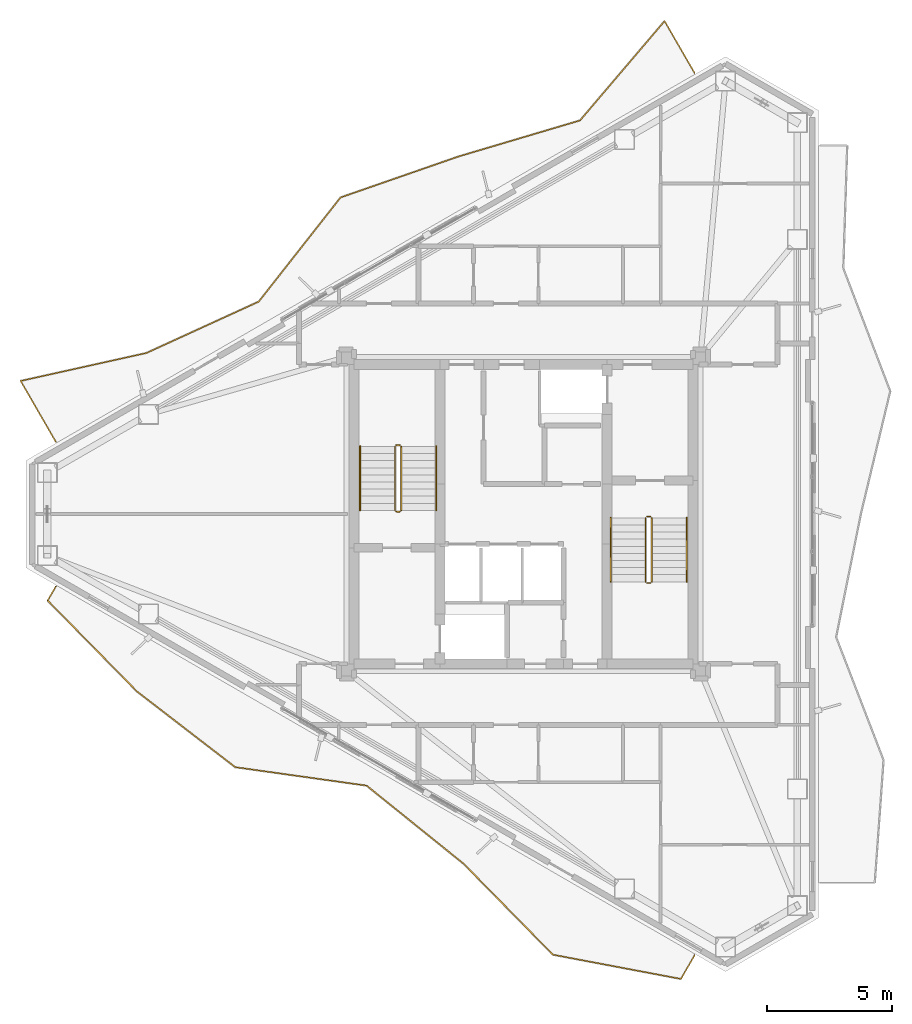
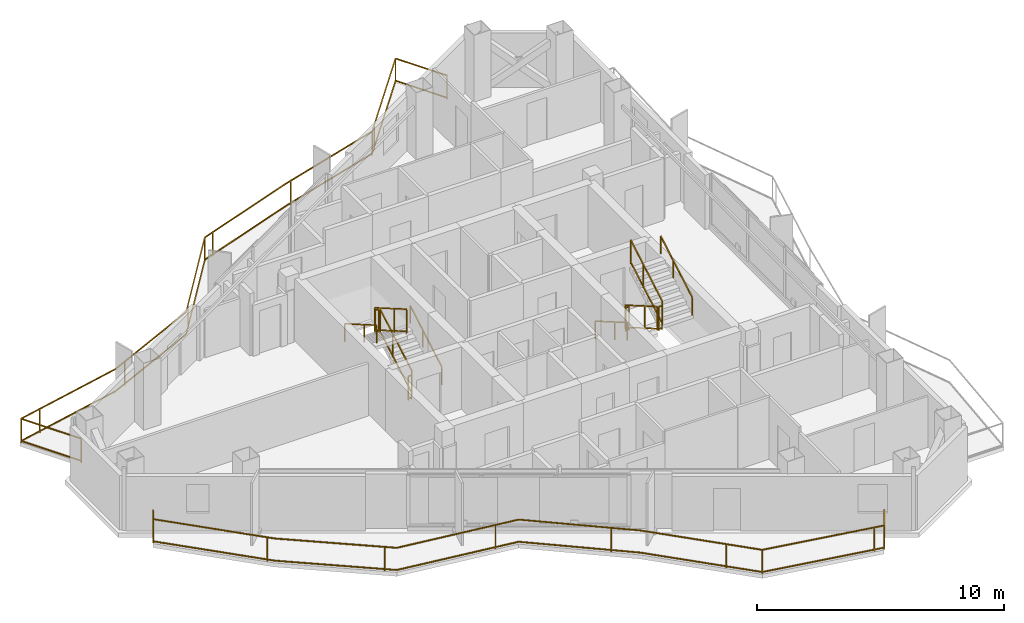
# One storey, part 21 of 22: 14 railings.
"""IFC4 building model written with IfcOpenShell, lengths in metres."""

from ifc_helpers import new_model, si_unit, direction, frame, origin, origin_2d, place, context, subcontext, project, spatial, rectangle, extrude, material, type_object, element, save


model = new_model("IFC4")

# Units and contexts
model_context = context("Model", 3, precision=1e-05, world=origin(), true_north=direction((0.0, 1.0)))
body_context = subcontext(model_context, "Body", "Model", "MODEL_VIEW")
ifc_project = project(units=[si_unit("LENGTHUNIT", "METRE"), si_unit("AREAUNIT", "SQUARE_METRE"), si_unit("VOLUMEUNIT", "CUBIC_METRE"), si_unit("PLANEANGLEUNIT", "RADIAN"), si_unit("MASSUNIT", "GRAM", prefix="KILO")], contexts=[model_context])

# Site, building, storey
site_placement = place(None, origin())
site = spatial("IfcSite", under=ifc_project, at=site_placement, CompositionType="ELEMENT")
building_placement = place(site_placement, origin())
building = spatial("IfcBuilding", under=site, at=building_placement, Name="Mersakhor Tower and Convention Hall", CompositionType="ELEMENT")
storey_placement = place(building_placement, frame((0.0, 0.0, 208.5)))
storey = spatial("IfcBuildingStorey", under=building, at=storey_placement, Name="L58", CompositionType="ELEMENT", Elevation=208.5)

# Railings
ifc_material_1 = material(Name="Powder-coated galvanised steel and laminated glass balustrade", Category="steel")
railing_type_1 = type_object("IfcRailingType", Name="RL-BAL-1200", PredefinedType="BALUSTRADE", material=ifc_material_1)
railing_1_placement = place(storey_placement, frame((35.86669921875, 44.44189453125, 0.0)))
element("IfcRailing", 1, at=railing_1_placement, inside=storey, type_object=railing_type_1, Name="L58 Sinusoidal Balcony Balustrade F1", PredefinedType="BALUSTRADE", context=body_context, shape_type="SweptSolid", body=[
    extrude(rectangle(XDim=0.048095703125, YDim=0.048095703125, at=origin_2d()), frame((0.0, 0.0, 1.17578125), z_axis=(-0.499991841196, 0.866030114221, 0.0), x_axis=(-0.866030114221, -0.499991841196, 0.0)), (0.0, 0.0, 1.0), 2.40576171875),
    extrude(rectangle(XDim=0.048095703125, YDim=0.048095703125, at=origin_2d()), frame((0.0, 0.0, 0.080078125), z_axis=(-0.499991841196, 0.866030114221, 0.0), x_axis=(-0.866030114221, -0.499991841196, 0.0)), (0.0, 0.0, 1.0), 2.40576171875),
    extrude(rectangle(XDim=0.048095703125, YDim=0.048095703125, at=origin_2d()), frame((-1.202880859375, 2.08349609375, 1.17578125), z_axis=(-0.648133018475, -0.76152714355, 0.0), x_axis=(0.76152714355, -0.648133018475, 0.0)), (0.0, 0.0, 1.0), 5.234130859375),
    extrude(rectangle(XDim=0.048095703125, YDim=0.048095703125, at=origin_2d()), frame((-1.202880859375, 2.08349609375, 0.080078125), z_axis=(-0.648133018475, -0.76152714355, 0.0), x_axis=(0.76152714355, -0.648133018475, 0.0)), (0.0, 0.0, 1.0), 5.234130859375),
    extrude(rectangle(XDim=0.048095703125, YDim=0.048095703125, at=origin_2d()), frame((-4.59521484375, -1.90234375, 1.17578125), z_axis=(-0.958674160479, -0.2845063339, 0.0), x_axis=(0.2845063339, -0.958674160479, 0.0)), (0.0, 0.0, 1.0), 5.070556640625),
    extrude(rectangle(XDim=0.048095703125, YDim=0.048095703125, at=origin_2d()), frame((-4.59521484375, -1.90234375, 0.080078125), z_axis=(-0.958674160479, -0.2845063339, 0.0), x_axis=(0.2845063339, -0.958674160479, 0.0)), (0.0, 0.0, 1.0), 5.070556640625),
    extrude(rectangle(XDim=0.048095703125, YDim=0.048095703125, at=origin_2d()), frame((-9.456298828125, -3.344970703125, 1.17578125), z_axis=(-0.944680988636, -0.327990593934, 0.0), x_axis=(0.327990593934, -0.944680988636, 0.0)), (0.0, 0.0, 1.0), 5.020751953125),
    extrude(rectangle(XDim=0.048095703125, YDim=0.048095703125, at=origin_2d()), frame((-9.456298828125, -3.344970703125, 0.080078125), z_axis=(-0.944680988636, -0.327990593934, 0.0), x_axis=(0.327990593934, -0.944680988636, 0.0)), (0.0, 0.0, 1.0), 5.020751953125),
    extrude(rectangle(XDim=0.048095703125, YDim=0.048095703125, at=origin_2d()), frame((-14.19921875, -4.99169921875, 1.17578125), z_axis=(-0.617703826303, -0.786410823279, 0.0), x_axis=(0.786410823279, -0.617703826303, 0.0)), (0.0, 0.0, 1.0), 5.3125),
    extrude(rectangle(XDim=0.048095703125, YDim=0.048095703125, at=origin_2d()), frame((-14.19921875, -4.99169921875, 0.080078125), z_axis=(-0.617703826303, -0.786410823279, 0.0), x_axis=(0.786410823279, -0.617703826303, 0.0)), (0.0, 0.0, 1.0), 5.3125),
    extrude(rectangle(XDim=0.048095703125, YDim=0.048095703125, at=origin_2d()), frame((-17.480712890625, -9.16943359375, 1.17578125), z_axis=(-0.90940523696, -0.415911186421, 0.0), x_axis=(0.415911186421, -0.90940523696, 0.0)), (0.0, 0.0, 1.0), 4.953125),
    extrude(rectangle(XDim=0.048095703125, YDim=0.048095703125, at=origin_2d()), frame((-17.480712890625, -9.16943359375, 0.080078125), z_axis=(-0.90940523696, -0.415911186421, 0.0), x_axis=(0.415911186421, -0.90940523696, 0.0)), (0.0, 0.0, 1.0), 4.953125),
    extrude(rectangle(XDim=0.048095703125, YDim=0.048095703125, at=origin_2d()), frame((-21.985107421875, -11.2294921875, 1.17578125), z_axis=(-0.976212611113, -0.216815446646, 0.0), x_axis=(0.216815446646, -0.976212611113, 0.0)), (0.0, 0.0, 1.0), 5.169677734375),
    extrude(rectangle(XDim=0.048095703125, YDim=0.048095703125, at=origin_2d()), frame((-21.985107421875, -11.2294921875, 0.080078125), z_axis=(-0.976212611113, -0.216815446646, 0.0), x_axis=(0.216815446646, -0.976212611113, 0.0)), (0.0, 0.0, 1.0), 5.169677734375),
    extrude(rectangle(XDim=0.048095703125, YDim=0.048095703125, at=origin_2d()), frame((-27.03173828125, -12.350341796875, 1.17578125), z_axis=(0.499984757355, -0.866034203951, 0.0), x_axis=(0.866034203951, 0.499984757355, 0.0)), (0.0, 0.0, 1.0), 2.81982421875),
    extrude(rectangle(XDim=0.048095703125, YDim=0.048095703125, at=origin_2d()), frame((-27.03173828125, -12.350341796875, 0.080078125), z_axis=(0.499984757355, -0.866034203951, 0.0), x_axis=(0.866034203951, 0.499984757355, 0.0)), (0.0, 0.0, 1.0), 2.81982421875),
    extrude(rectangle(XDim=0.0419921875, YDim=0.0419921875, at=origin_2d()), origin(), (0.0, 0.0, 1.0), 1.15185546875),
    extrude(rectangle(XDim=0.0419921875, YDim=0.0419921875, at=origin_2d()), frame((-1.202880859375, 2.08349609375, 0.0)), (0.0, 0.0, 1.0), 1.15185546875),
    extrude(rectangle(XDim=0.0419921875, YDim=0.0419921875, at=origin_2d()), frame((-4.31396484375, -1.57177734375, 0.0)), (0.0, 0.0, 1.0), 1.15185546875),
    extrude(rectangle(XDim=0.0419921875, YDim=0.0419921875, at=origin_2d()), frame((-4.59521484375, -1.90234375, 0.0)), (0.0, 0.0, 1.0), 1.15185546875),
    extrude(rectangle(XDim=0.0419921875, YDim=0.0419921875, at=origin_2d()), frame((-9.19677734375, -3.26806640625, 0.0)), (0.0, 0.0, 1.0), 1.15185546875),
    extrude(rectangle(XDim=0.0419921875, YDim=0.0419921875, at=origin_2d()), frame((-13.735107421875, -4.83056640625, 0.0)), (0.0, 0.0, 1.0), 1.15185546875),
    extrude(rectangle(XDim=0.0419921875, YDim=0.0419921875, at=origin_2d()), frame((-14.19921875, -4.99169921875, 0.0)), (0.0, 0.0, 1.0), 1.15185546875),
    extrude(rectangle(XDim=0.0419921875, YDim=0.0419921875, at=origin_2d()), frame((-17.164306640625, -8.766357421875, 0.0)), (0.0, 0.0, 1.0), 1.15185546875),
    extrude(rectangle(XDim=0.0419921875, YDim=0.0419921875, at=origin_2d()), frame((-21.3798828125, -10.95263671875, 0.0)), (0.0, 0.0, 1.0), 1.15185546875),
    extrude(rectangle(XDim=0.0419921875, YDim=0.0419921875, at=origin_2d()), frame((-26.021240234375, -12.1259765625, 0.0)), (0.0, 0.0, 1.0), 1.15185546875),
    extrude(rectangle(XDim=0.0419921875, YDim=0.0419921875, at=origin_2d()), frame((-27.03173828125, -12.350341796875, 0.0)), (0.0, 0.0, 1.0), 1.15185546875),
    extrude(rectangle(XDim=0.0419921875, YDim=0.0419921875, at=origin_2d()), frame((-25.621826171875, -14.79248046875, 0.0)), (0.0, 0.0, 1.0), 1.15185546875),
])
railing_2_placement = place(storey_placement, frame((10.244873046875, 23.8505859375, 0.0)))
element("IfcRailing", 2, at=railing_2_placement, inside=storey, type_object=railing_type_1, Name="L58 Sinusoidal Balcony Balustrade F3", PredefinedType="BALUSTRADE", context=body_context, shape_type="SweptSolid", body=[
    extrude(rectangle(XDim=0.048095703125, YDim=0.048095703125, at=origin_2d()), frame((0.0, 0.0, 1.17578125), z_axis=(-0.500058503878, -0.86599162392, 0.0), x_axis=(0.86599162392, -0.500058503878, 0.0)), (0.0, 0.0, 1.0), 0.64990234375),
    extrude(rectangle(XDim=0.048095703125, YDim=0.048095703125, at=origin_2d()), frame((0.0, 0.0, 0.080078125), z_axis=(-0.500058503878, -0.86599162392, 0.0), x_axis=(0.86599162392, -0.500058503878, 0.0)), (0.0, 0.0, 1.0), 0.64990234375),
    extrude(rectangle(XDim=0.048095703125, YDim=0.048095703125, at=origin_2d()), frame((-0.324951171875, -0.562744140625, 1.17578125), z_axis=(0.700733165424, -0.713423458316, 0.0), x_axis=(0.713423458316, 0.700733165424, 0.0)), (0.0, 0.0, 1.0), 5.117431640625),
    extrude(rectangle(XDim=0.048095703125, YDim=0.048095703125, at=origin_2d()), frame((-0.324951171875, -0.562744140625, 0.080078125), z_axis=(0.700733165424, -0.713423458316, 0.0), x_axis=(0.713423458316, 0.700733165424, 0.0)), (0.0, 0.0, 1.0), 5.117431640625),
    extrude(rectangle(XDim=0.048095703125, YDim=0.048095703125, at=origin_2d()), frame((3.260986328125, -4.213623046875, 1.17578125), z_axis=(0.792344770395, -0.610073573291, 0.0), x_axis=(0.610073573291, 0.792344770395, 0.0)), (0.0, 0.0, 1.0), 4.974609375),
    extrude(rectangle(XDim=0.048095703125, YDim=0.048095703125, at=origin_2d()), frame((3.260986328125, -4.213623046875, 0.080078125), z_axis=(0.792344770395, -0.610073573291, 0.0), x_axis=(0.610073573291, 0.792344770395, 0.0)), (0.0, 0.0, 1.0), 4.974609375),
    extrude(rectangle(XDim=0.048095703125, YDim=0.048095703125, at=origin_2d()), frame((7.20263671875, -7.24853515625, 1.17578125), z_axis=(0.990285439779, -0.139049443588, 0.0), x_axis=(0.139049443588, 0.990285439779, 0.0)), (0.0, 0.0, 1.0), 5.318359375),
    extrude(rectangle(XDim=0.048095703125, YDim=0.048095703125, at=origin_2d()), frame((7.20263671875, -7.24853515625, 0.080078125), z_axis=(0.990285439779, -0.139049443588, 0.0), x_axis=(0.139049443588, 0.990285439779, 0.0)), (0.0, 0.0, 1.0), 5.318359375),
    extrude(rectangle(XDim=0.048095703125, YDim=0.048095703125, at=origin_2d()), frame((12.46923828125, -7.988037109375, 1.17578125), z_axis=(0.778840877257, -0.62722156206, 0.0), x_axis=(0.62722156206, 0.778840877257, 0.0)), (0.0, 0.0, 1.0), 4.989990234375),
    extrude(rectangle(XDim=0.048095703125, YDim=0.048095703125, at=origin_2d()), frame((12.46923828125, -7.988037109375, 0.080078125), z_axis=(0.778840877257, -0.62722156206, 0.0), x_axis=(0.62722156206, 0.778840877257, 0.0)), (0.0, 0.0, 1.0), 4.989990234375),
    extrude(rectangle(XDim=0.048095703125, YDim=0.048095703125, at=origin_2d()), frame((16.355712890625, -11.117919921875, 1.17578125), z_axis=(0.700661182148, -0.713494154027, 0.0), x_axis=(0.713494154027, 0.700661182148, 0.0)), (0.0, 0.0, 1.0), 5.11767578125),
    extrude(rectangle(XDim=0.048095703125, YDim=0.048095703125, at=origin_2d()), frame((16.355712890625, -11.117919921875, 0.080078125), z_axis=(0.700661182148, -0.713494154027, 0.0), x_axis=(0.713494154027, 0.700661182148, 0.0)), (0.0, 0.0, 1.0), 5.11767578125),
    extrude(rectangle(XDim=0.048095703125, YDim=0.048095703125, at=origin_2d()), frame((19.94140625, -14.769287109375, 1.17578125), z_axis=(0.982549014252, -0.186003856389, 0.0), x_axis=(0.186003856389, 0.982549014252, 0.0)), (0.0, 0.0, 1.0), 5.223876953125),
    extrude(rectangle(XDim=0.048095703125, YDim=0.048095703125, at=origin_2d()), frame((19.94140625, -14.769287109375, 0.080078125), z_axis=(0.982549014252, -0.186003856389, 0.0), x_axis=(0.186003856389, 0.982549014252, 0.0)), (0.0, 0.0, 1.0), 5.223876953125),
    extrude(rectangle(XDim=0.048095703125, YDim=0.048095703125, at=origin_2d()), frame((25.07421875, -15.740966796875, 1.17578125), z_axis=(0.49999903102, 0.866025963225, 0.0), x_axis=(-0.866025963225, 0.49999903102, 0.0)), (0.0, 0.0, 1.0), 1.09521484375),
    extrude(rectangle(XDim=0.048095703125, YDim=0.048095703125, at=origin_2d()), frame((25.07421875, -15.740966796875, 0.080078125), z_axis=(0.49999903102, 0.866025963225, 0.0), x_axis=(-0.866025963225, 0.49999903102, 0.0)), (0.0, 0.0, 1.0), 1.09521484375),
    extrude(rectangle(XDim=0.0419921875, YDim=0.0419921875, at=origin_2d()), origin(), (0.0, 0.0, 1.0), 1.15185546875),
    extrude(rectangle(XDim=0.0419921875, YDim=0.0419921875, at=origin_2d()), frame((-0.324951171875, -0.562744140625, 0.0)), (0.0, 0.0, 1.0), 1.15185546875),
    extrude(rectangle(XDim=0.0419921875, YDim=0.0419921875, at=origin_2d()), frame((3.03857421875, -3.987060546875, 0.0)), (0.0, 0.0, 1.0), 1.15185546875),
    extrude(rectangle(XDim=0.0419921875, YDim=0.0419921875, at=origin_2d()), frame((6.812744140625, -6.9482421875, 0.0)), (0.0, 0.0, 1.0), 1.15185546875),
    extrude(rectangle(XDim=0.0419921875, YDim=0.0419921875, at=origin_2d()), frame((11.46875, -7.84765625, 0.0)), (0.0, 0.0, 1.0), 1.15185546875),
    extrude(rectangle(XDim=0.0419921875, YDim=0.0419921875, at=origin_2d()), frame((15.4208984375, -10.364990234375, 0.0)), (0.0, 0.0, 1.0), 1.15185546875),
    extrude(rectangle(XDim=0.0419921875, YDim=0.0419921875, at=origin_2d()), frame((18.877685546875, -13.686279296875, 0.0)), (0.0, 0.0, 1.0), 1.15185546875),
    extrude(rectangle(XDim=0.0419921875, YDim=0.0419921875, at=origin_2d()), frame((19.94140625, -14.769287109375, 0.0)), (0.0, 0.0, 1.0), 1.15185546875),
    extrude(rectangle(XDim=0.0419921875, YDim=0.0419921875, at=origin_2d()), frame((24.65771484375, -15.662109375, 0.0)), (0.0, 0.0, 1.0), 1.15185546875),
    extrude(rectangle(XDim=0.0419921875, YDim=0.0419921875, at=origin_2d()), frame((25.07421875, -15.740966796875, 0.0)), (0.0, 0.0, 1.0), 1.15185546875),
    extrude(rectangle(XDim=0.0419921875, YDim=0.0419921875, at=origin_2d()), frame((25.621826171875, -14.79248046875, 0.0)), (0.0, 0.0, 1.0), 1.15185546875),
])
ifc_material_2 = material(Name="Brushed stainless steel handrail", Category="steel")
railing_type_2 = type_object("IfcRailingType", Name="RL-HR-900", PredefinedType="HANDRAIL", material=ifc_material_2)
railing_3_placement = place(storey_placement, frame((25.5, 26.89990234375, 0.1650390625)))
element("IfcRailing", 3, at=railing_3_placement, inside=storey, type_object=railing_type_2, Name="L58 ST-1 stair handrail 1", PredefinedType="HANDRAIL", context=body_context, shape_type="SweptSolid", body=[
    extrude(rectangle(XDim=0.048095703125, YDim=0.048095703125, at=origin_2d()), frame((0.0, 0.0, 0.8759765625), z_axis=(0.0, 0.865461999751, 0.500974577186), x_axis=(-1.0, 0.0, 0.0)), (0.0, 0.0, 1.0), 2.9638671875),
    extrude(rectangle(XDim=0.0419921875, YDim=0.0419921875, at=origin_2d()), origin(), (0.0, 0.0, 1.0), 0.851806640625),
    extrude(rectangle(XDim=0.0419921875, YDim=0.0419921875, at=origin_2d()), frame((0.0, 1.557861328125, 0.90185546875)), (0.0, 0.0, 1.0), 0.851806640625),
    extrude(rectangle(XDim=0.0419921875, YDim=0.0419921875, at=origin_2d()), frame((0.0, 2.565185546875, 1.48486328125)), (0.0, 0.0, 1.0), 0.851806640625),
])
railing_4_placement = place(storey_placement, frame((22.449951171875, 29.465087890625, 1.81494140625)))
element("IfcRailing", 4, at=railing_4_placement, inside=storey, type_object=railing_type_2, Name="L58 ST-1 stair handrail 2", PredefinedType="HANDRAIL", context=body_context, shape_type="SweptSolid", body=[
    extrude(rectangle(XDim=0.048095703125, YDim=0.048095703125, at=origin_2d()), frame((0.0, 0.0, 0.8759765625), z_axis=(0.0, -0.865426285481, 0.501036270542), x_axis=(1.0, 0.0, 0.0)), (0.0, 0.0, 1.0), 2.964111328125),
    extrude(rectangle(XDim=0.0419921875, YDim=0.0419921875, at=origin_2d()), origin(), (0.0, 0.0, 1.0), 0.851806640625),
    extrude(rectangle(XDim=0.0419921875, YDim=0.0419921875, at=origin_2d()), frame((0.0, -1.557861328125, 0.90185546875)), (0.0, 0.0, 1.0), 0.851806640625),
    extrude(rectangle(XDim=0.0419921875, YDim=0.0419921875, at=origin_2d()), frame((0.0, -2.565185546875, 1.485107421875)), (0.0, 0.0, 1.0), 0.851806640625),
])
railing_5_placement = place(storey_placement, frame((32.5, 26.60009765625, 0.1650390625)))
element("IfcRailing", 5, at=railing_5_placement, inside=storey, type_object=railing_type_2, Name="L58 ST-2 stair handrail 1", PredefinedType="HANDRAIL", context=body_context, shape_type="SweptSolid", body=[
    extrude(rectangle(XDim=0.048095703125, YDim=0.048095703125, at=origin_2d()), frame((0.0, 0.0, 0.8759765625), z_axis=(0.0, -0.865461999751, 0.500974577186), x_axis=(1.0, 0.0, 0.0)), (0.0, 0.0, 1.0), 2.9638671875),
    extrude(rectangle(XDim=0.0419921875, YDim=0.0419921875, at=origin_2d()), origin(), (0.0, 0.0, 1.0), 0.851806640625),
    extrude(rectangle(XDim=0.0419921875, YDim=0.0419921875, at=origin_2d()), frame((0.0, -1.557861328125, 0.90185546875)), (0.0, 0.0, 1.0), 0.851806640625),
    extrude(rectangle(XDim=0.0419921875, YDim=0.0419921875, at=origin_2d()), frame((0.0, -2.565185546875, 1.48486328125)), (0.0, 0.0, 1.0), 0.851806640625),
])
railing_6_placement = place(storey_placement, frame((35.550048828125, 24.034912109375, 1.81494140625)))
element("IfcRailing", 6, at=railing_6_placement, inside=storey, type_object=railing_type_2, Name="L58 ST-2 stair handrail 2", PredefinedType="HANDRAIL", context=body_context, shape_type="SweptSolid", body=[
    extrude(rectangle(XDim=0.048095703125, YDim=0.048095703125, at=origin_2d()), frame((0.0, 0.0, 0.8759765625), z_axis=(0.0, 0.865426285481, 0.501036270542), x_axis=(-1.0, 0.0, 0.0)), (0.0, 0.0, 1.0), 2.964111328125),
    extrude(rectangle(XDim=0.0419921875, YDim=0.0419921875, at=origin_2d()), origin(), (0.0, 0.0, 1.0), 0.851806640625),
    extrude(rectangle(XDim=0.0419921875, YDim=0.0419921875, at=origin_2d()), frame((0.0, 1.557861328125, 0.90185546875)), (0.0, 0.0, 1.0), 0.851806640625),
    extrude(rectangle(XDim=0.0419921875, YDim=0.0419921875, at=origin_2d()), frame((0.0, 2.565185546875, 1.485107421875)), (0.0, 0.0, 1.0), 0.851806640625),
])
ifc_material_3 = material(Name="Painted steel stair balustrade S355", Category="steel")
railing_type_3 = type_object("IfcRailingType", Name="RL-STG-1200", PredefinedType="BALUSTRADE", material=ifc_material_3)
railing_7_placement = place(storey_placement, frame((24.10009765625, 26.89990234375, 0.1650390625)))
element("IfcRailing", 7, at=railing_7_placement, inside=storey, type_object=railing_type_3, Name="L58 ST-1 stair guard 1", PredefinedType="BALUSTRADE", context=body_context, shape_type="SweptSolid", body=[
    extrude(rectangle(XDim=0.048095703125, YDim=0.048095703125, at=origin_2d()), frame((0.0, 0.0, 1.17578125), z_axis=(0.0, 0.865461999751, 0.500974577186), x_axis=(-1.0, 0.0, 0.0)), (0.0, 0.0, 1.0), 2.9638671875),
    extrude(rectangle(XDim=0.048095703125, YDim=0.048095703125, at=origin_2d()), frame((0.0, 0.0, 0.080078125), z_axis=(0.0, 0.865461999751, 0.500974577186), x_axis=(-1.0, 0.0, 0.0)), (0.0, 0.0, 1.0), 2.9638671875),
    extrude(rectangle(XDim=0.0419921875, YDim=0.0419921875, at=origin_2d()), origin(), (0.0, 0.0, 1.0), 1.15185546875),
    extrude(rectangle(XDim=0.0419921875, YDim=0.0419921875, at=origin_2d()), frame((0.0, 1.557861328125, 0.90185546875)), (0.0, 0.0, 1.0), 1.15185546875),
    extrude(rectangle(XDim=0.0419921875, YDim=0.0419921875, at=origin_2d()), frame((0.0, 2.565185546875, 1.48486328125)), (0.0, 0.0, 1.0), 1.15185546875),
])
railing_8_placement = place(storey_placement, frame((24.050048828125, 29.514892578125, 1.64990234375)))
element("IfcRailing", 8, at=railing_8_placement, inside=storey, type_object=railing_type_3, Name="L58 ST-1 stair guard 2", PredefinedType="BALUSTRADE", context=body_context, shape_type="SweptSolid", body=[
    extrude(rectangle(XDim=0.048095703125, YDim=0.048095703125, at=origin_2d()), frame((0.0, 0.0, 1.17578125), z_axis=(-1.0, 0.0, 0.0), x_axis=(0.0, -1.0, 0.0)), (0.0, 0.0, 1.0), 0.150146484375),
    extrude(rectangle(XDim=0.048095703125, YDim=0.048095703125, at=origin_2d()), frame((0.0, 0.0, 0.080078125), z_axis=(-1.0, 0.0, 0.0), x_axis=(0.0, -1.0, 0.0)), (0.0, 0.0, 1.0), 0.150146484375),
    extrude(rectangle(XDim=0.0419921875, YDim=0.0419921875, at=origin_2d()), origin(), (0.0, 0.0, 1.0), 1.15185546875),
    extrude(rectangle(XDim=0.0419921875, YDim=0.0419921875, at=origin_2d()), frame((-0.150146484375, 0.0, 0.0)), (0.0, 0.0, 1.0), 1.15185546875),
])
railing_9_placement = place(storey_placement, frame((23.85009765625, 29.465087890625, 1.81494140625)))
element("IfcRailing", 9, at=railing_9_placement, inside=storey, type_object=railing_type_3, Name="L58 ST-1 stair guard 3", PredefinedType="BALUSTRADE", context=body_context, shape_type="SweptSolid", body=[
    extrude(rectangle(XDim=0.048095703125, YDim=0.048095703125, at=origin_2d()), frame((0.0, 0.0, 1.17578125), z_axis=(0.0, -0.865426285481, 0.501036270542), x_axis=(1.0, 0.0, 0.0)), (0.0, 0.0, 1.0), 2.964111328125),
    extrude(rectangle(XDim=0.048095703125, YDim=0.048095703125, at=origin_2d()), frame((0.0, 0.0, 0.080078125), z_axis=(0.0, -0.865426285481, 0.501036270542), x_axis=(1.0, 0.0, 0.0)), (0.0, 0.0, 1.0), 2.964111328125),
    extrude(rectangle(XDim=0.0419921875, YDim=0.0419921875, at=origin_2d()), origin(), (0.0, 0.0, 1.0), 1.15185546875),
    extrude(rectangle(XDim=0.0419921875, YDim=0.0419921875, at=origin_2d()), frame((0.0, -1.557861328125, 0.90185546875)), (0.0, 0.0, 1.0), 1.15185546875),
    extrude(rectangle(XDim=0.0419921875, YDim=0.0419921875, at=origin_2d()), frame((0.0, -2.565185546875, 1.485107421875)), (0.0, 0.0, 1.0), 1.15185546875),
])
railing_10_placement = place(storey_placement, frame((24.050048828125, 26.85009765625, 0.0)))
element("IfcRailing", 10, at=railing_10_placement, inside=storey, type_object=railing_type_3, Name="L58 ST-1 stair guard 4", PredefinedType="BALUSTRADE", context=body_context, shape_type="SweptSolid", body=[
    extrude(rectangle(XDim=0.048095703125, YDim=0.048095703125, at=origin_2d()), frame((0.0, 0.0, 1.17578125), z_axis=(-1.0, 0.0, 0.0), x_axis=(0.0, -1.0, 0.0)), (0.0, 0.0, 1.0), 0.150146484375),
    extrude(rectangle(XDim=0.048095703125, YDim=0.048095703125, at=origin_2d()), frame((0.0, 0.0, 0.080078125), z_axis=(-1.0, 0.0, 0.0), x_axis=(0.0, -1.0, 0.0)), (0.0, 0.0, 1.0), 0.150146484375),
    extrude(rectangle(XDim=0.0419921875, YDim=0.0419921875, at=origin_2d()), origin(), (0.0, 0.0, 1.0), 1.15185546875),
    extrude(rectangle(XDim=0.0419921875, YDim=0.0419921875, at=origin_2d()), frame((-0.150146484375, 0.0, 0.0)), (0.0, 0.0, 1.0), 1.15185546875),
])
railing_11_placement = place(storey_placement, frame((33.89990234375, 26.60009765625, 0.1650390625)))
element("IfcRailing", 11, at=railing_11_placement, inside=storey, type_object=railing_type_3, Name="L58 ST-2 stair guard 1", PredefinedType="BALUSTRADE", context=body_context, shape_type="SweptSolid", body=[
    extrude(rectangle(XDim=0.048095703125, YDim=0.048095703125, at=origin_2d()), frame((0.0, 0.0, 1.17578125), z_axis=(0.0, -0.865461999751, 0.500974577186), x_axis=(1.0, 0.0, 0.0)), (0.0, 0.0, 1.0), 2.9638671875),
    extrude(rectangle(XDim=0.048095703125, YDim=0.048095703125, at=origin_2d()), frame((0.0, 0.0, 0.080078125), z_axis=(0.0, -0.865461999751, 0.500974577186), x_axis=(1.0, 0.0, 0.0)), (0.0, 0.0, 1.0), 2.9638671875),
    extrude(rectangle(XDim=0.0419921875, YDim=0.0419921875, at=origin_2d()), origin(), (0.0, 0.0, 1.0), 1.15185546875),
    extrude(rectangle(XDim=0.0419921875, YDim=0.0419921875, at=origin_2d()), frame((0.0, -1.557861328125, 0.90185546875)), (0.0, 0.0, 1.0), 1.15185546875),
    extrude(rectangle(XDim=0.0419921875, YDim=0.0419921875, at=origin_2d()), frame((0.0, -2.565185546875, 1.48486328125)), (0.0, 0.0, 1.0), 1.15185546875),
])
railing_12_placement = place(storey_placement, frame((33.949951171875, 23.985107421875, 1.64990234375)))
element("IfcRailing", 12, at=railing_12_placement, inside=storey, type_object=railing_type_3, Name="L58 ST-2 stair guard 2", PredefinedType="BALUSTRADE", context=body_context, shape_type="SweptSolid", body=[
    extrude(rectangle(XDim=0.048095703125, YDim=0.048095703125, at=origin_2d()), frame((0.0, 0.0, 1.17578125), z_axis=(1.0, 0.0, 0.0), x_axis=(0.0, 1.0, 0.0)), (0.0, 0.0, 1.0), 0.150146484375),
    extrude(rectangle(XDim=0.048095703125, YDim=0.048095703125, at=origin_2d()), frame((0.0, 0.0, 0.080078125), z_axis=(1.0, 0.0, 0.0), x_axis=(0.0, 1.0, 0.0)), (0.0, 0.0, 1.0), 0.150146484375),
    extrude(rectangle(XDim=0.0419921875, YDim=0.0419921875, at=origin_2d()), origin(), (0.0, 0.0, 1.0), 1.15185546875),
    extrude(rectangle(XDim=0.0419921875, YDim=0.0419921875, at=origin_2d()), frame((0.150146484375, 0.0, 0.0)), (0.0, 0.0, 1.0), 1.15185546875),
])
railing_13_placement = place(storey_placement, frame((34.14990234375, 24.034912109375, 1.81494140625)))
element("IfcRailing", 13, at=railing_13_placement, inside=storey, type_object=railing_type_3, Name="L58 ST-2 stair guard 3", PredefinedType="BALUSTRADE", context=body_context, shape_type="SweptSolid", body=[
    extrude(rectangle(XDim=0.048095703125, YDim=0.048095703125, at=origin_2d()), frame((0.0, 0.0, 1.17578125), z_axis=(0.0, 0.865426285481, 0.501036270542), x_axis=(-1.0, 0.0, 0.0)), (0.0, 0.0, 1.0), 2.964111328125),
    extrude(rectangle(XDim=0.048095703125, YDim=0.048095703125, at=origin_2d()), frame((0.0, 0.0, 0.080078125), z_axis=(0.0, 0.865426285481, 0.501036270542), x_axis=(-1.0, 0.0, 0.0)), (0.0, 0.0, 1.0), 2.964111328125),
    extrude(rectangle(XDim=0.0419921875, YDim=0.0419921875, at=origin_2d()), origin(), (0.0, 0.0, 1.0), 1.15185546875),
    extrude(rectangle(XDim=0.0419921875, YDim=0.0419921875, at=origin_2d()), frame((0.0, 1.557861328125, 0.90185546875)), (0.0, 0.0, 1.0), 1.15185546875),
    extrude(rectangle(XDim=0.0419921875, YDim=0.0419921875, at=origin_2d()), frame((0.0, 2.565185546875, 1.485107421875)), (0.0, 0.0, 1.0), 1.15185546875),
])
railing_14_placement = place(storey_placement, frame((33.949951171875, 26.64990234375, 0.0)))
element("IfcRailing", 14, at=railing_14_placement, inside=storey, type_object=railing_type_3, Name="L58 ST-2 stair guard 4", PredefinedType="BALUSTRADE", context=body_context, shape_type="SweptSolid", body=[
    extrude(rectangle(XDim=0.048095703125, YDim=0.048095703125, at=origin_2d()), frame((0.0, 0.0, 1.17578125), z_axis=(1.0, 0.0, 0.0), x_axis=(0.0, 1.0, 0.0)), (0.0, 0.0, 1.0), 0.150146484375),
    extrude(rectangle(XDim=0.048095703125, YDim=0.048095703125, at=origin_2d()), frame((0.0, 0.0, 0.080078125), z_axis=(1.0, 0.0, 0.0), x_axis=(0.0, 1.0, 0.0)), (0.0, 0.0, 1.0), 0.150146484375),
    extrude(rectangle(XDim=0.0419921875, YDim=0.0419921875, at=origin_2d()), origin(), (0.0, 0.0, 1.0), 1.15185546875),
    extrude(rectangle(XDim=0.0419921875, YDim=0.0419921875, at=origin_2d()), frame((0.150146484375, 0.0, 0.0)), (0.0, 0.0, 1.0), 1.15185546875),
])

save(model, "model.ifc")
